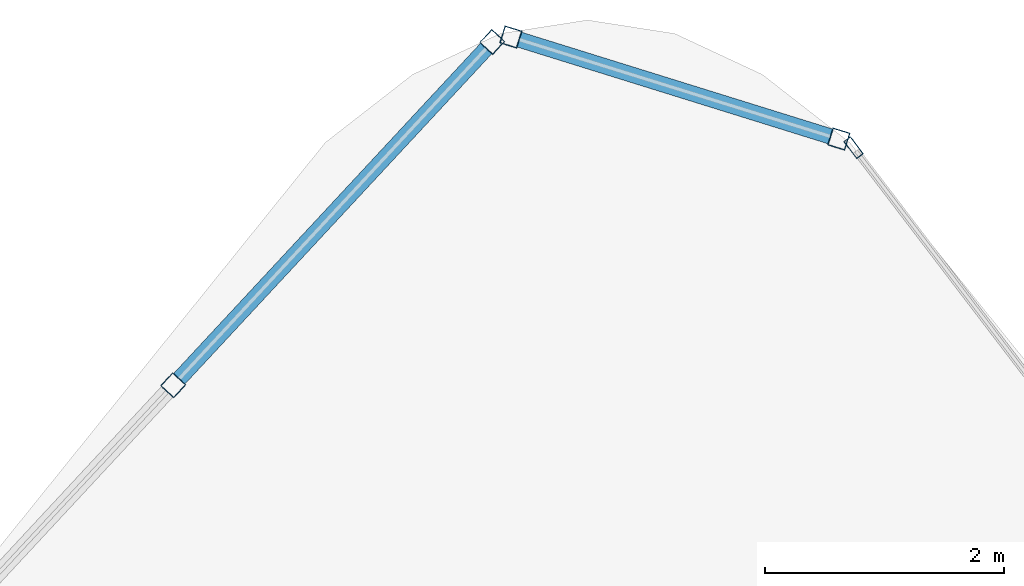
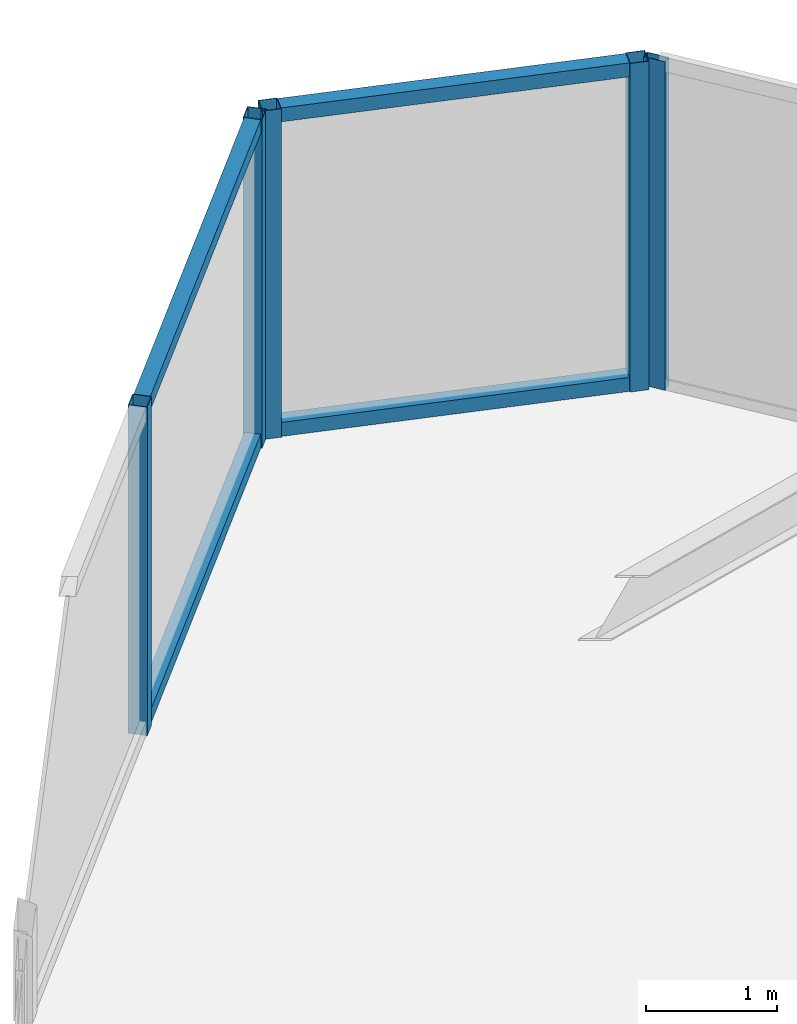
# One storey, part 27 of 37: 9 members, 3 elements without a shape of their own.
"""IFC4 building model written with IfcOpenShell, lengths in metres."""

from ifc_helpers import new_model, si_unit, direction, frame, origin, origin_2d, place, context, subcontext, project, spatial, hollow_rectangle, extrude, material, layer, layer_set, material_profile, profile_set, type_object, element, aggregate, save


model = new_model("IFC4")

# Units and contexts
model_context = context("Model", 3, precision=1e-05, world=origin(), true_north=direction((0.0, 1.0)))
body_context = subcontext(model_context, "Body", "Model", "MODEL_VIEW")
ifc_project = project(units=[si_unit("LENGTHUNIT", "METRE"), si_unit("AREAUNIT", "SQUARE_METRE"), si_unit("VOLUMEUNIT", "CUBIC_METRE"), si_unit("PLANEANGLEUNIT", "RADIAN"), si_unit("MASSUNIT", "GRAM", prefix="KILO")], contexts=[model_context])

# Site, building, storey
site_placement = place(None, origin())
site = spatial("IfcSite", under=ifc_project, at=site_placement, CompositionType="ELEMENT")
building_placement = place(site_placement, origin())
building = spatial("IfcBuilding", under=site, at=building_placement, Name="Orvanel Arch Residences", CompositionType="ELEMENT")
storey_placement = place(building_placement, frame((0.0, 0.0, 53.300048828125)))
storey = spatial("IfcBuildingStorey", under=building, at=storey_placement, Name="L14", CompositionType="ELEMENT", Elevation=53.300048828125)

# Curtain wall, members
ifc_material = material(Name="Bronze-anodised aluminium AA6063-T6", Category="aluminium")
ifc_layer_1 = layer(ifc_material, 0.18994140625)
ifc_layer_set_1 = layer_set([ifc_layer_1], Name="Bronze-anodised aluminium AA6063-T6")
curtain_wall_type_1 = type_object("IfcCurtainWallType", Name="CW5-CRN-SYS", PredefinedType="NOTDEFINED", material=ifc_layer_set_1)
curtain_wall_1_placement = place(storey_placement, origin())
curtain_wall_1 = element("IfcCurtainWall", 1, at=curtain_wall_1_placement, inside=storey, type_object=curtain_wall_type_1, Name="L14 CW5-CRN-SYS Unitised Curtain Wall", PredefinedType="NOTDEFINED")
ifc_material_profile_1 = material_profile(ifc_material, hollow_rectangle(XDim=0.14990234375, YDim=0.14990234375, WallThickness=0.0048828125, at=origin_2d()), Name="ALU150x150x5")
ifc_profile_set_1 = profile_set([ifc_material_profile_1], Name="Bronze-anodised aluminium AA6063-T6")
member_type_1 = type_object("IfcMemberType", Name="MUL-150x150", PredefinedType="MULLION", material=ifc_profile_set_1)
member_1_placement = place(storey_placement, frame((35.1044921875, 50.908203125, 0.0), z_axis=(0.0, 0.0, 1.0), x_axis=(-0.297126820297, -0.954838024306, 0.0)))
member_1 = element("IfcMember", 2, at=member_1_placement, type_object=member_type_1, Name="CW-S5 mullion 1", PredefinedType="MULLION", context=body_context, shape_type="SweptSolid", body=[
    extrude(hollow_rectangle(XDim=0.14990234375, YDim=0.14990234375, WallThickness=0.0048828125, at=origin_2d()), origin(), (0.0, 0.0, 1.0), 3.06005859375),
])
member_2_placement = place(storey_placement, frame((32.358642578125, 51.7626953125, 0.0), z_axis=(0.0, 0.0, 1.0), x_axis=(-0.297126820297, -0.954838024306, 0.0)))
member_2 = element("IfcMember", 3, at=member_2_placement, type_object=member_type_1, Name="CW-S5 mullion 2", PredefinedType="MULLION", context=body_context, shape_type="SweptSolid", body=[
    extrude(hollow_rectangle(XDim=0.14990234375, YDim=0.14990234375, WallThickness=0.0048828125, at=origin_2d()), origin(), (0.0, 0.0, 1.0), 3.06005859375),
])

curtain_wall_2_placement = place(storey_placement, origin())
curtain_wall_2 = element("IfcCurtainWall", 4, at=curtain_wall_2_placement, inside=storey, type_object=curtain_wall_type_1, Name="L14 CW5-CRN-SYS Unitised Curtain Wall", PredefinedType="NOTDEFINED")
member_3_placement = place(storey_placement, frame((32.202880859375, 51.720947265625, 0.0), z_axis=(0.0, 0.0, 1.0), x_axis=(0.732512897092, -0.680753153202, 0.0)))
member_3 = element("IfcMember", 5, at=member_3_placement, type_object=member_type_1, Name="CW-S5 mullion 1", PredefinedType="MULLION", context=body_context, shape_type="SweptSolid", body=[
    extrude(hollow_rectangle(XDim=0.14990234375, YDim=0.14990234375, WallThickness=0.0048828125, at=origin_2d()), origin(), (0.0, 0.0, 1.0), 3.06005859375),
])
member_4_placement = place(storey_placement, frame((29.531494140625, 48.846435546875, 0.0), z_axis=(0.0, 0.0, 1.0), x_axis=(0.732512897092, -0.680753153202, 0.0)))
member_4 = element("IfcMember", 6, at=member_4_placement, type_object=member_type_1, Name="CW-S5 mullion 2", PredefinedType="MULLION", context=body_context, shape_type="SweptSolid", body=[
    extrude(hollow_rectangle(XDim=0.14990234375, YDim=0.14990234375, WallThickness=0.0048828125, at=origin_2d()), origin(), (0.0, 0.0, 1.0), 3.06005859375),
])

# Curtain wall, member
ifc_layer_2 = layer(ifc_material, 0.179931640625)
ifc_layer_set_2 = layer_set([ifc_layer_2], Name="Bronze-anodised aluminium AA6063-T6")
curtain_wall_type_2 = type_object("IfcCurtainWallType", Name="CW2-LOW-SYS", PredefinedType="NOTDEFINED", material=ifc_layer_set_2)
curtain_wall_3_placement = place(storey_placement, origin())
curtain_wall_3 = element("IfcCurtainWall", 7, at=curtain_wall_3_placement, inside=storey, type_object=curtain_wall_type_2, Name="L14 CW2-LOW-SYS Unitised Curtain Wall", PredefinedType="NOTDEFINED")
ifc_material_profile_2 = material_profile(ifc_material, hollow_rectangle(XDim=0.070068359375, YDim=0.179931640625, WallThickness=0.00439453125, at=origin_2d()), Name="ALU180x70x4.5")
ifc_profile_set_2 = profile_set([ifc_material_profile_2], Name="Bronze-anodised aluminium AA6063-T6")
member_type_2 = type_object("IfcMemberType", Name="MUL-180x70", PredefinedType="MULLION", material=ifc_profile_set_2)
member_5_placement = place(storey_placement, frame((35.228271484375, 50.836181640625, 0.0), z_axis=(0.0, 0.0, 1.0), x_axis=(-0.795174097037, -0.606381196444, 0.0)))
member_5 = element("IfcMember", 8, at=member_5_placement, type_object=member_type_2, Name="CW-S2 mullion 4", PredefinedType="MULLION", context=body_context, shape_type="SweptSolid", body=[
    extrude(hollow_rectangle(XDim=0.070068359375, YDim=0.179931640625, WallThickness=0.00439453125, at=origin_2d()), origin(), (0.0, 0.0, 1.0), 3.06005859375),
])
aggregate(curtain_wall_3, [member_5])

# Member
ifc_material_profile_3 = material_profile(ifc_material, hollow_rectangle(XDim=0.1298828125, YDim=0.1298828125, WallThickness=0.00439453125, at=origin_2d()), Name="ALU130x130x4.5")
ifc_profile_set_3 = profile_set([ifc_material_profile_3], Name="Bronze-anodised aluminium AA6063-T6")
member_type_3 = type_object("IfcMemberType", Name="TRN-130x130", PredefinedType="USERDEFINED", material=ifc_profile_set_3)
member_6_placement = place(storey_placement, frame((35.03271484375, 50.9306640625, 0.06494140625), z_axis=(-0.954842659823, 0.297111923324, 0.0), x_axis=(-0.297111923324, -0.954842659823, 0.0)))
member_6 = element("IfcMember", 9, at=member_6_placement, type_object=member_type_3, Name="CW-S5 transom 1.1", ObjectType="TRANSOM", PredefinedType="USERDEFINED", context=body_context, shape_type="SweptSolid", body=[
    extrude(hollow_rectangle(XDim=0.1298828125, YDim=0.1298828125, WallThickness=0.00439453125, at=origin_2d()), origin(), (0.0, 0.0, 1.0), 2.7255859375),
])

member_7_placement = place(storey_placement, frame((35.03271484375, 50.9306640625, 2.994873046875), z_axis=(-0.954842659823, 0.297111923324, 0.0), x_axis=(-0.297111923324, -0.954842659823, 0.0)))
member_7 = element("IfcMember", 10, at=member_7_placement, type_object=member_type_3, Name="CW-S5 transom 1.2", ObjectType="TRANSOM", PredefinedType="USERDEFINED", context=body_context, shape_type="SweptSolid", body=[
    extrude(hollow_rectangle(XDim=0.1298828125, YDim=0.1298828125, WallThickness=0.00439453125, at=origin_2d()), origin(), (0.0, 0.0, 1.0), 2.7255859375),
])

aggregate(curtain_wall_1, [member_1, member_2, member_6, member_7])

member_8_placement = place(storey_placement, frame((32.15185546875, 51.666015625, 0.06494140625), z_axis=(-0.680758698107, -0.732507743953, 0.0), x_axis=(0.732507743953, -0.680758698107, 0.0)))
member_8 = element("IfcMember", 11, at=member_8_placement, type_object=member_type_3, Name="CW-S5 transom 1.1", ObjectType="TRANSOM", PredefinedType="USERDEFINED", context=body_context, shape_type="SweptSolid", body=[
    extrude(hollow_rectangle(XDim=0.1298828125, YDim=0.1298828125, WallThickness=0.00439453125, at=origin_2d()), origin(), (0.0, 0.0, 1.0), 3.774169921875),
])

member_9_placement = place(storey_placement, frame((32.15185546875, 51.666015625, 2.994873046875), z_axis=(-0.680758698107, -0.732507743953, 0.0), x_axis=(0.732507743953, -0.680758698107, 0.0)))
member_9 = element("IfcMember", 12, at=member_9_placement, type_object=member_type_3, Name="CW-S5 transom 1.2", ObjectType="TRANSOM", PredefinedType="USERDEFINED", context=body_context, shape_type="SweptSolid", body=[
    extrude(hollow_rectangle(XDim=0.1298828125, YDim=0.1298828125, WallThickness=0.00439453125, at=origin_2d()), origin(), (0.0, 0.0, 1.0), 3.774169921875),
])

aggregate(curtain_wall_2, [member_3, member_4, member_8, member_9])

save(model, "model.ifc")
